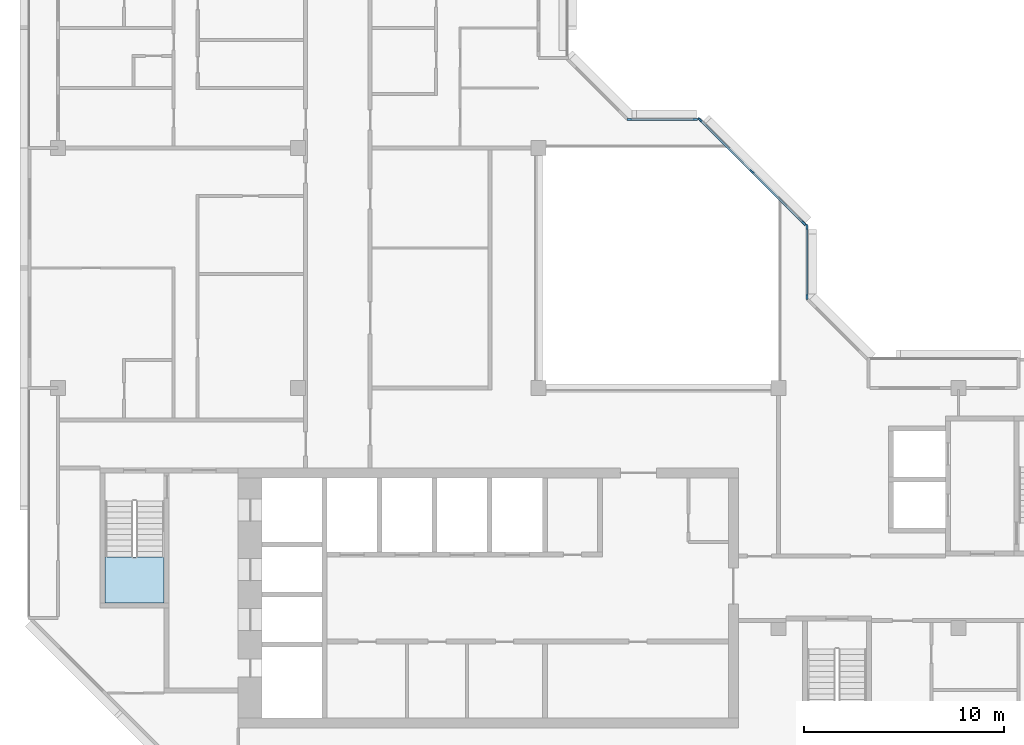
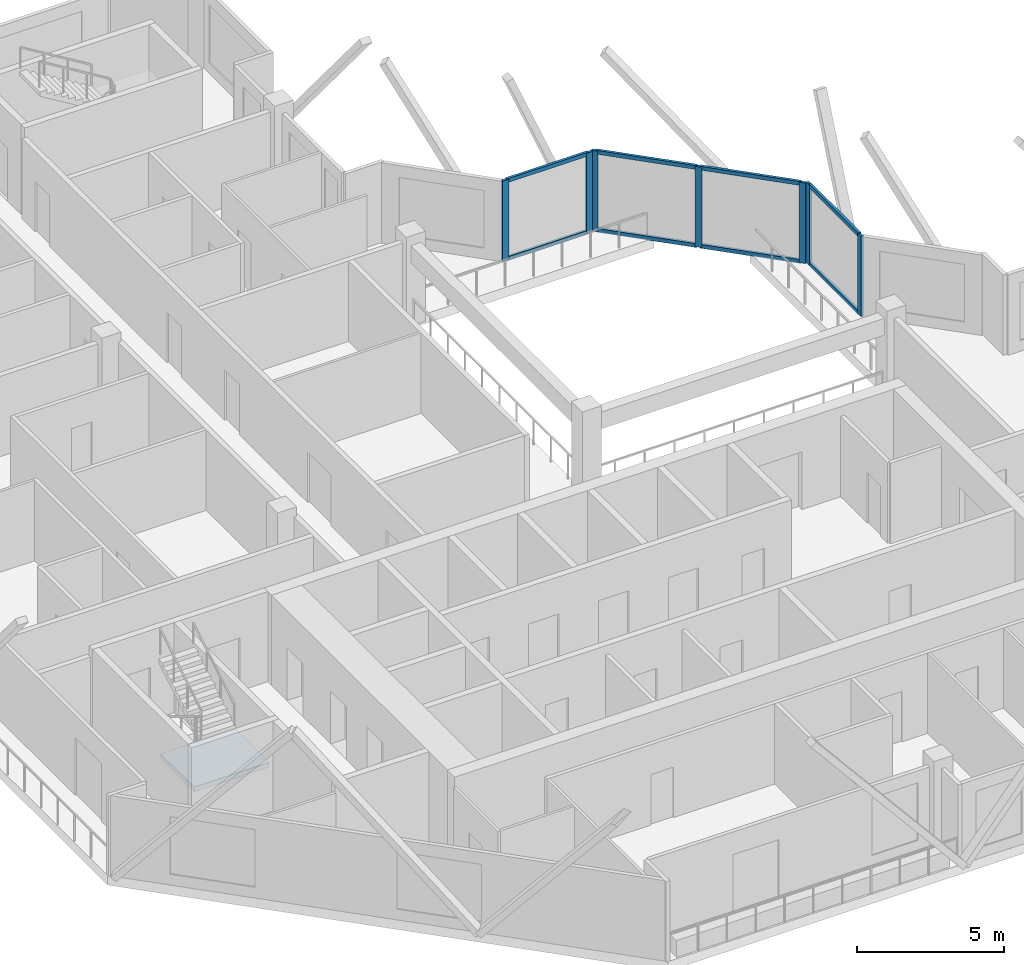
# One storey, part 2 of 12: 15 members, 1 slab, 4 elements without a shape of their own.
"""IFC4 building model written with IfcOpenShell, lengths in metres."""

from ifc_helpers import new_model, si_unit, direction, frame, origin, origin_2d, place, context, subcontext, project, spatial, polyline, rectangle, outline, extrude, material, layer, layer_set, material_profile, profile_set, type_object, element, aggregate, save


model = new_model("IFC4")

# Units and contexts
model_context = context("Model", 3, precision=1e-05, world=origin(), true_north=direction((0.0, 1.0)))
body_context = subcontext(model_context, "Body", "Model", "MODEL_VIEW")
ifc_project = project(units=[si_unit("LENGTHUNIT", "METRE"), si_unit("AREAUNIT", "SQUARE_METRE"), si_unit("VOLUMEUNIT", "CUBIC_METRE"), si_unit("PLANEANGLEUNIT", "RADIAN"), si_unit("MASSUNIT", "GRAM", prefix="KILO")], contexts=[model_context])

# Site, building, storey
site_placement = place(None, origin())
site = spatial("IfcSite", under=ifc_project, at=site_placement, CompositionType="ELEMENT")
building_placement = place(site_placement, origin())
building = spatial("IfcBuilding", under=site, at=building_placement, Name="Chenar Terraces", CompositionType="ELEMENT")
storey_placement = place(building_placement, frame((0.0, 0.0, 346.39990234375)))
storey = spatial("IfcBuildingStorey", under=building, at=storey_placement, Name="L80", CompositionType="ELEMENT", Elevation=346.39990234375)

# Curtain wall, members
ifc_material_1 = material(Name="Aluminium framed glazing", Category="aluminium")
ifc_layer_1 = layer(ifc_material_1, 0.14990234375)
ifc_layer_set_1 = layer_set([ifc_layer_1], Name="Aluminium framed glazing")
curtain_wall_type = type_object("IfcCurtainWallType", Name="Atrium upper-zone curtain wall", PredefinedType="NOTDEFINED", material=ifc_layer_set_1)
placement = place(storey_placement, origin())
curtain_wall_1 = element("IfcCurtainWall", 1, at=placement, inside=storey, type_object=curtain_wall_type, Name="Atrium upper-zone curtain wall", PredefinedType="NOTDEFINED")
ifc_material_2 = material(Name="Aluminium", Category="aluminium")
ifc_material_profile_1 = material_profile(ifc_material_2, rectangle(XDim=0.10009765625, YDim=0.239990234375, at=origin_2d()), Name="Atrium upper-zone glazing mullion 100 x 240")
ifc_profile_set_1 = profile_set([ifc_material_profile_1], Name="Aluminium")
member_type_1 = type_object("IfcMemberType", Name="Atrium upper-zone glazing mullion 100 x 240", PredefinedType="MULLION", material=ifc_profile_set_1)
member_1_placement = place(storey_placement, frame((37.425048828125, 28.550048828125, 0.0), z_axis=(0.0, 0.0, 1.0), x_axis=(-1.0, 0.0, 0.0)))
member_1 = element("IfcMember", 2, at=member_1_placement, type_object=member_type_1, Name="CW8-1 mullion 1", PredefinedType="MULLION", context=body_context, shape_type="SweptSolid", body=[
    extrude(rectangle(XDim=0.10009765625, YDim=0.239990234375, at=origin_2d()), origin(), (0.0, 0.0, 1.0), 3.35009765625),
])
member_2_placement = place(storey_placement, frame((37.425048828125, 32.050048828125, 0.0), z_axis=(0.0, 0.0, 1.0), x_axis=(-1.0, 0.0, 0.0)))
member_2 = element("IfcMember", 3, at=member_2_placement, type_object=member_type_1, Name="CW8-1 mullion 2", PredefinedType="MULLION", context=body_context, shape_type="SweptSolid", body=[
    extrude(rectangle(XDim=0.10009765625, YDim=0.239990234375, at=origin_2d()), origin(), (0.0, 0.0, 1.0), 3.35009765625),
])

curtain_wall_2 = element("IfcCurtainWall", 4, at=placement, inside=storey, type_object=curtain_wall_type, Name="Atrium upper-zone curtain wall", PredefinedType="NOTDEFINED")
member_3_placement = place(storey_placement, frame((37.270263671875, 32.2236328125, 0.0), z_axis=(0.0, 0.0, 1.0), x_axis=(-0.707106781187, -0.707106781187, 0.0)))
member_3 = element("IfcMember", 5, at=member_3_placement, type_object=member_type_1, Name="CW8-2 mullion 1", PredefinedType="MULLION", context=body_context, shape_type="SweptSolid", body=[
    extrude(rectangle(XDim=0.10009765625, YDim=0.239990234375, at=origin_2d()), origin(), (0.0, 0.0, 1.0), 3.35009765625),
])
member_4_placement = place(storey_placement, frame((34.67626953125, 34.817626953125, 0.0), z_axis=(0.0, 0.0, 1.0), x_axis=(-0.707106781187, -0.707106781187, 0.0)))
member_4 = element("IfcMember", 6, at=member_4_placement, type_object=member_type_1, Name="CW8-2 mullion 2", PredefinedType="MULLION", context=body_context, shape_type="SweptSolid", body=[
    extrude(rectangle(XDim=0.10009765625, YDim=0.239990234375, at=origin_2d()), origin(), (0.0, 0.0, 1.0), 3.35009765625),
])
member_5_placement = place(storey_placement, frame((32.082275390625, 37.41162109375, 0.0), z_axis=(0.0, 0.0, 1.0), x_axis=(-0.707106781187, -0.707106781187, 0.0)))
member_5 = element("IfcMember", 7, at=member_5_placement, type_object=member_type_1, Name="CW8-2 mullion 3", PredefinedType="MULLION", context=body_context, shape_type="SweptSolid", body=[
    extrude(rectangle(XDim=0.10009765625, YDim=0.239990234375, at=origin_2d()), origin(), (0.0, 0.0, 1.0), 3.35009765625),
])

curtain_wall_3 = element("IfcCurtainWall", 8, at=placement, inside=storey, type_object=curtain_wall_type, Name="Atrium upper-zone curtain wall", PredefinedType="NOTDEFINED")
member_6_placement = place(storey_placement, frame((31.85009765625, 37.425048828125, 0.0), z_axis=(0.0, 0.0, 1.0), x_axis=(0.0, -1.0, 0.0)))
member_6 = element("IfcMember", 9, at=member_6_placement, type_object=member_type_1, Name="CW8-3 mullion 1", PredefinedType="MULLION", context=body_context, shape_type="SweptSolid", body=[
    extrude(rectangle(XDim=0.10009765625, YDim=0.239990234375, at=origin_2d()), origin(), (0.0, 0.0, 1.0), 3.35009765625),
])
member_7_placement = place(storey_placement, frame((28.550048828125, 37.425048828125, 0.0), z_axis=(0.0, 0.0, 1.0), x_axis=(0.0, -1.0, 0.0)))
member_7 = element("IfcMember", 10, at=member_7_placement, type_object=member_type_1, Name="CW8-3 mullion 2", PredefinedType="MULLION", context=body_context, shape_type="SweptSolid", body=[
    extrude(rectangle(XDim=0.10009765625, YDim=0.239990234375, at=origin_2d()), origin(), (0.0, 0.0, 1.0), 3.35009765625),
])

# Member
ifc_material_3 = material(Name="Aluminium", Category="aluminium")
ifc_material_profile_2 = material_profile(ifc_material_3, rectangle(XDim=0.10009765625, YDim=0.159912109375, at=origin_2d()), Name="Atrium upper-zone glazing transom 100 x 160")
ifc_profile_set_2 = profile_set([ifc_material_profile_2], Name="Aluminium")
member_type_2 = type_object("IfcMemberType", Name="Atrium upper-zone glazing transom 100 x 160", PredefinedType="USERDEFINED", material=ifc_profile_set_2)
member_8_placement = place(storey_placement, frame((37.425048828125, 28.60009765625, 0.050048828125), z_axis=(0.0, 1.0, 0.0), x_axis=(-1.0, 0.0, 0.0)))
member_8 = element("IfcMember", 11, at=member_8_placement, type_object=member_type_2, Name="CW8-1 transom 1.1", ObjectType="TRANSOM", PredefinedType="USERDEFINED", context=body_context, shape_type="SweptSolid", body=[
    extrude(rectangle(XDim=0.10009765625, YDim=0.159912109375, at=origin_2d()), origin(), (0.0, 0.0, 1.0), 3.39990234375),
])

member_9_placement = place(storey_placement, frame((37.425048828125, 28.60009765625, 3.300048828125), z_axis=(0.0, 1.0, 0.0), x_axis=(-1.0, 0.0, 0.0)))
member_9 = element("IfcMember", 12, at=member_9_placement, type_object=member_type_2, Name="CW8-1 transom 1.2", ObjectType="TRANSOM", PredefinedType="USERDEFINED", context=body_context, shape_type="SweptSolid", body=[
    extrude(rectangle(XDim=0.10009765625, YDim=0.159912109375, at=origin_2d()), origin(), (0.0, 0.0, 1.0), 3.39990234375),
])

aggregate(curtain_wall_1, [member_1, member_2, member_8, member_9])

member_10_placement = place(storey_placement, frame((37.23486328125, 32.259033203125, 0.050048828125), z_axis=(-0.707106781187, 0.707106781187, 0.0), x_axis=(-0.707106781187, -0.707106781187, 0.0)))
member_10 = element("IfcMember", 13, at=member_10_placement, type_object=member_type_2, Name="CW8-2 transom 1.1", ObjectType="TRANSOM", PredefinedType="USERDEFINED", context=body_context, shape_type="SweptSolid", body=[
    extrude(rectangle(XDim=0.10009765625, YDim=0.159912109375, at=origin_2d()), origin(), (0.0, 0.0, 1.0), 3.568359375),
])

member_11_placement = place(storey_placement, frame((37.23486328125, 32.259033203125, 3.300048828125), z_axis=(-0.707106781187, 0.707106781187, 0.0), x_axis=(-0.707106781187, -0.707106781187, 0.0)))
member_11 = element("IfcMember", 14, at=member_11_placement, type_object=member_type_2, Name="CW8-2 transom 1.2", ObjectType="TRANSOM", PredefinedType="USERDEFINED", context=body_context, shape_type="SweptSolid", body=[
    extrude(rectangle(XDim=0.10009765625, YDim=0.159912109375, at=origin_2d()), origin(), (0.0, 0.0, 1.0), 3.568359375),
])

member_12_placement = place(storey_placement, frame((34.640869140625, 34.85302734375, 0.050048828125), z_axis=(-0.707106781187, 0.707106781187, 0.0), x_axis=(-0.707106781187, -0.707106781187, 0.0)))
member_12 = element("IfcMember", 15, at=member_12_placement, type_object=member_type_2, Name="CW8-2 transom 2.1", ObjectType="TRANSOM", PredefinedType="USERDEFINED", context=body_context, shape_type="SweptSolid", body=[
    extrude(rectangle(XDim=0.10009765625, YDim=0.159912109375, at=origin_2d()), origin(), (0.0, 0.0, 1.0), 3.568359375),
])

member_13_placement = place(storey_placement, frame((34.640869140625, 34.85302734375, 3.300048828125), z_axis=(-0.707106781187, 0.707106781187, 0.0), x_axis=(-0.707106781187, -0.707106781187, 0.0)))
member_13 = element("IfcMember", 16, at=member_13_placement, type_object=member_type_2, Name="CW8-2 transom 2.2", ObjectType="TRANSOM", PredefinedType="USERDEFINED", context=body_context, shape_type="SweptSolid", body=[
    extrude(rectangle(XDim=0.10009765625, YDim=0.159912109375, at=origin_2d()), origin(), (0.0, 0.0, 1.0), 3.568359375),
])

aggregate(curtain_wall_2, [member_3, member_4, member_5, member_10, member_11, member_12, member_13])

member_14_placement = place(storey_placement, frame((31.800048828125, 37.425048828125, 0.050048828125), z_axis=(-1.0, 0.0, 0.0), x_axis=(0.0, -1.0, 0.0)))
member_14 = element("IfcMember", 17, at=member_14_placement, type_object=member_type_2, Name="CW8-3 transom 1.1", ObjectType="TRANSOM", PredefinedType="USERDEFINED", context=body_context, shape_type="SweptSolid", body=[
    extrude(rectangle(XDim=0.10009765625, YDim=0.159912109375, at=origin_2d()), origin(), (0.0, 0.0, 1.0), 3.199951171875),
])

member_15_placement = place(storey_placement, frame((31.800048828125, 37.425048828125, 3.300048828125), z_axis=(-1.0, 0.0, 0.0), x_axis=(0.0, -1.0, 0.0)))
member_15 = element("IfcMember", 18, at=member_15_placement, type_object=member_type_2, Name="CW8-3 transom 1.2", ObjectType="TRANSOM", PredefinedType="USERDEFINED", context=body_context, shape_type="SweptSolid", body=[
    extrude(rectangle(XDim=0.10009765625, YDim=0.159912109375, at=origin_2d()), origin(), (0.0, 0.0, 1.0), 3.199951171875),
])

aggregate(curtain_wall_3, [member_6, member_7, member_14, member_15])

# Stair, slab
ifc_material_4 = material(Name="Reinforced concrete C40/50", Category="concrete")
stair_type = type_object("IfcStairType", Name="Core stair 1400 half-turn", PredefinedType="HALF_TURN_STAIR", material=ifc_material_4)
stair = element("IfcStair", 19, at=placement, inside=storey, type_object=stair_type, Name="L80 Stair 1", PredefinedType="HALF_TURN_STAIR")
ifc_material_5 = material(Name="Reinforced concrete C40/50", Category="concrete")
ifc_layer_2 = layer(ifc_material_5, 0.199951171875)
ifc_layer_set_2 = layer_set([ifc_layer_2], Name="Reinforced concrete C40/50")
slab_type = type_object("IfcSlabType", Name="Core stair landing 200", PredefinedType="LANDING", material=ifc_layer_set_2)
slab_placement = place(storey_placement, frame((0.0, 0.0, 1.675048828125)))
slab = element("IfcSlab", 20, at=slab_placement, type_object=slab_type, Name="ST1 landing 1", PredefinedType="LANDING", context=body_context, shape_type="SweptSolid", body=[
    extrude(outline(polyline([(2.35009765625, 15.550048828125), (2.35009765625, 13.25), (5.300048828125, 13.25), (5.300048828125, 15.550048828125), (2.35009765625, 15.550048828125)])), origin(), (0.0, 0.0, 1.0), 0.199951171875),
])
aggregate(stair, [slab])

save(model, "model.ifc")
